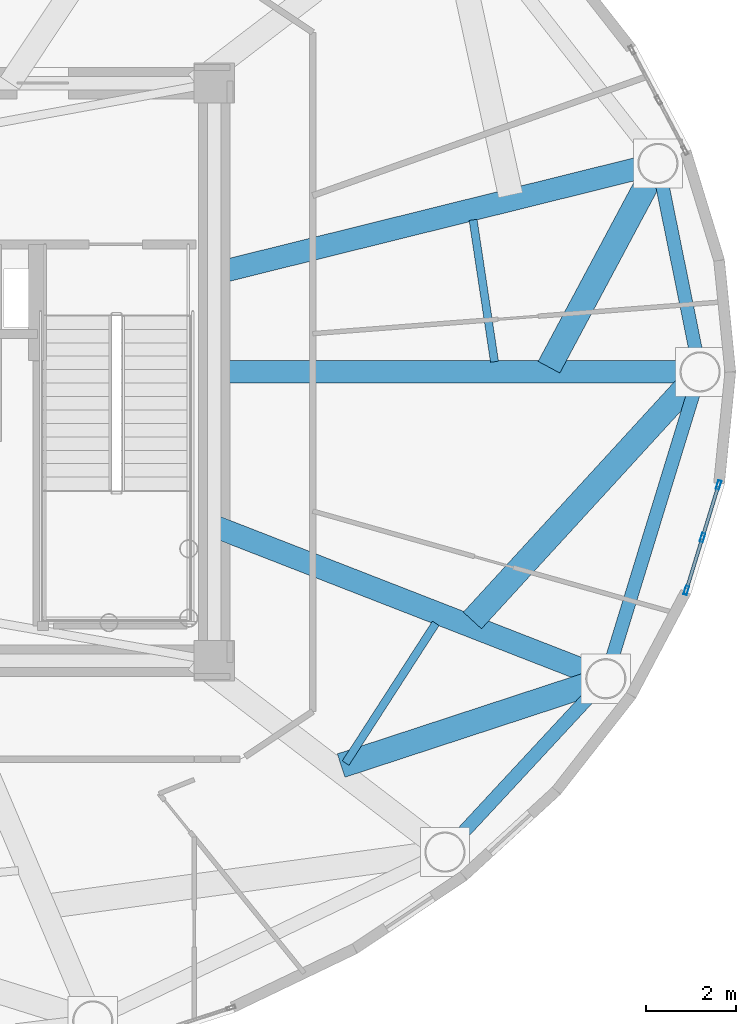
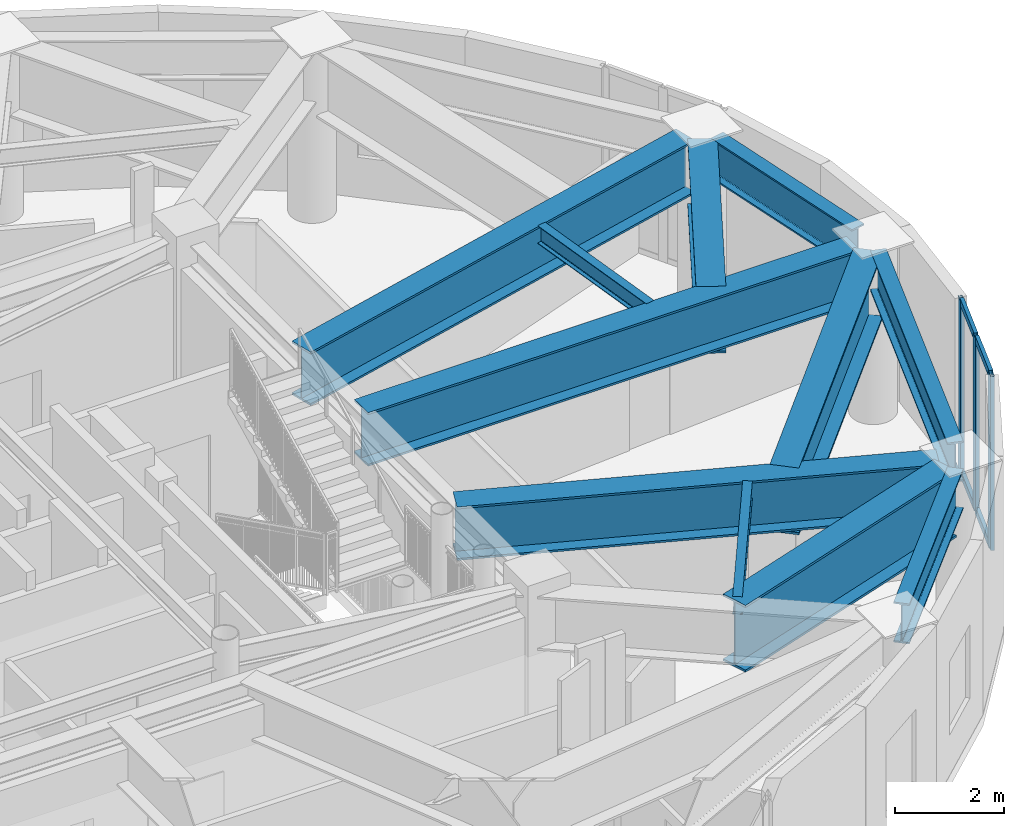
# One storey, part 11 of 23: 11 beams, 7 members, 1 element without a shape of its own.
"""IFC4 building model written with IfcOpenShell, lengths in metres."""

from ifc_helpers import new_model, si_unit, direction, frame, origin, origin_2d, place, context, subcontext, project, spatial, hollow_rectangle, i_section, extrude, source, transform, mapped, material, layer, layer_set, material_profile, profile_set, type_object, element, aggregate, save


model = new_model("IFC4")

# Units and contexts
model_context = context("Model", 3, precision=1e-05, world=origin(), true_north=direction((0.0, 1.0)))
body_context = subcontext(model_context, "Body", "Model", "MODEL_VIEW")
ifc_project = project(units=[si_unit("LENGTHUNIT", "METRE"), si_unit("AREAUNIT", "SQUARE_METRE"), si_unit("VOLUMEUNIT", "CUBIC_METRE"), si_unit("PLANEANGLEUNIT", "RADIAN"), si_unit("MASSUNIT", "GRAM", prefix="KILO")], contexts=[model_context])

# Site, building, storey
site_placement = place(None, origin())
site = spatial("IfcSite", under=ifc_project, at=site_placement, CompositionType="ELEMENT")
building_placement = place(site_placement, origin())
building = spatial("IfcBuilding", under=site, at=building_placement, Name="Linh Dai School and Residence Tower", CompositionType="ELEMENT")
storey_placement = place(building_placement, frame((0.0, 0.0, 359.39990234375)))
storey = spatial("IfcBuildingStorey", under=building, at=storey_placement, Name="L89", CompositionType="ELEMENT", Elevation=359.39990234375)

# Beams
ifc_material_1 = material(Name="Structural Steel S355JR", Category="steel")
ifc_material_profile_1 = material_profile(ifc_material_1, i_section(OverallWidth=0.300048828125, OverallDepth=0.89990234375, WebThickness=0.0185546875, FlangeThickness=0.034912109375, FilletRadius=0.030029296875, at=origin_2d()), Name="HEB 900")
ifc_profile_set_1 = profile_set([ifc_material_profile_1], Name="Structural Steel S355JR")
beam_type_1 = type_object("IfcBeamType", Name="BM-RG9", PredefinedType="BEAM", material=ifc_profile_set_1)
beam_1_placement = place(storey_placement, frame((55.61669921875, 27.41162109375, 3.4501953125), z_axis=(-0.198409502721, 0.980119211744, 0.0), x_axis=(-0.980119211744, -0.198409502721, 0.0)))
element("IfcBeam", 1, at=beam_1_placement, inside=storey, type_object=beam_type_1, Name="L89 Perimeter Elliptical Ring Beam 01", PredefinedType="BEAM", context=body_context, shape_type="SweptSolid", body=[
    extrude(i_section(OverallWidth=0.300048828125, OverallDepth=0.89990234375, WebThickness=0.0185546875, FlangeThickness=0.034912109375, FilletRadius=0.030029296875, at=origin_2d()), origin(), (0.0, 0.0, 1.0), 3.9091796875),
])
beam_2_placement = place(storey_placement, frame((50.2880859375, 16.5849609375, 3.4501953125), z_axis=(0.680339330162, 0.732897261446, 0.0), x_axis=(-0.732897261446, 0.680339330162, 0.0)))
element("IfcBeam", 2, at=beam_2_placement, inside=storey, type_object=beam_type_1, Name="L89 Perimeter Elliptical Ring Beam 15", PredefinedType="BEAM", context=body_context, shape_type="SweptSolid", body=[
    extrude(i_section(OverallWidth=0.300048828125, OverallDepth=0.89990234375, WebThickness=0.0185546875, FlangeThickness=0.034912109375, FilletRadius=0.030029296875, at=origin_2d()), origin(), (0.0, 0.0, 1.0), 4.440673828125),
])
beam_3_placement = place(storey_placement, frame((53.718505859375, 20.548828125, 3.4501953125), z_axis=(0.293606003102, 0.955926521728, 0.0), x_axis=(-0.955926521728, 0.293606003102, 0.0)))
element("IfcBeam", 3, at=beam_3_placement, inside=storey, type_object=beam_type_1, Name="L89 Perimeter Elliptical Ring Beam 16", PredefinedType="BEAM", context=body_context, shape_type="SweptSolid", body=[
    extrude(i_section(OverallWidth=0.300048828125, OverallDepth=0.89990234375, WebThickness=0.0185546875, FlangeThickness=0.034912109375, FilletRadius=0.030029296875, at=origin_2d()), origin(), (0.0, 0.0, 1.0), 6.32861328125),
])
ifc_material_profile_2 = material_profile(ifc_material_1, i_section(OverallWidth=0.179931640625, OverallDepth=0.39990234375, WebThickness=0.008544921875, FlangeThickness=0.013427734375, FilletRadius=0.02099609375, at=origin_2d()), Name="IPE 400")
ifc_profile_set_2 = profile_set([ifc_material_profile_2], Name="Structural Steel S355JR")
beam_type_2 = type_object("IfcBeamType", Name="BM-SB40", PredefinedType="BEAM", material=ifc_profile_set_2)
beam_4_placement = place(storey_placement, frame((51.108642578125, 27.2275390625, 3.7001953125), z_axis=(-0.149164107932, 0.988812453858, 0.0), x_axis=(-0.988812453858, -0.149164107932, 0.0)))
element("IfcBeam", 4, at=beam_4_placement, inside=storey, type_object=beam_type_2, Name="L89 Secondary Circumferential Floor Beam 01", PredefinedType="BEAM", context=body_context, shape_type="SweptSolid", body=[
    extrude(i_section(OverallWidth=0.179931640625, OverallDepth=0.39990234375, WebThickness=0.008544921875, FlangeThickness=0.013427734375, FilletRadius=0.02099609375, at=origin_2d()), origin(), (0.0, 0.0, 1.0), 3.203125),
])
beam_5_placement = place(storey_placement, frame((47.78369140625, 18.26513671875, 3.7001953125), z_axis=(0.542318554495, 0.840172949726, 0.0), x_axis=(-0.840172949726, 0.542318554495, 0.0)))
element("IfcBeam", 5, at=beam_5_placement, inside=storey, type_object=beam_type_2, Name="L89 Secondary Circumferential Floor Beam 08", PredefinedType="BEAM", context=body_context, shape_type="SweptSolid", body=[
    extrude(i_section(OverallWidth=0.179931640625, OverallDepth=0.39990234375, WebThickness=0.008544921875, FlangeThickness=0.013427734375, FilletRadius=0.02099609375, at=origin_2d()), origin(), (0.0, 0.0, 1.0), 3.713134765625),
])
ifc_material_profile_3 = material_profile(ifc_material_1, i_section(OverallWidth=0.5, OverallDepth=1.199951171875, WebThickness=0.02392578125, FlangeThickness=0.044921875, at=origin_2d()), Name="PG 1200x500x24x45")
ifc_profile_set_3 = profile_set([ifc_material_profile_3], Name="Structural Steel S355JR")
beam_type_3 = type_object("IfcBeamType", Name="BM-TG12", PredefinedType="BEAM", material=ifc_profile_set_3)
beam_6_placement = place(storey_placement, frame((44.85009765625, 27.0, 3.300048828125), z_axis=(1.0, 0.0, 0.0), x_axis=(0.0, 1.0, 0.0)))
element("IfcBeam", 6, at=beam_6_placement, inside=storey, type_object=beam_type_3, Name="L89 Radial Setback Transfer Girder 01", PredefinedType="BEAM", context=body_context, shape_type="SweptSolid", body=[
    extrude(i_section(OverallWidth=0.5, OverallDepth=1.199951171875, WebThickness=0.02392578125, FlangeThickness=0.044921875, at=origin_2d()), origin(), (0.0, 0.0, 1.0), 10.429931640625),
])
beam_7_placement = place(storey_placement, frame((44.85009765625, 29.196044921875, 3.300048828125), z_axis=(0.970563583495, 0.24084503398, 0.0), x_axis=(-0.24084503398, 0.970563583495, 0.0)))
element("IfcBeam", 7, at=beam_7_placement, inside=storey, type_object=beam_type_3, Name="L89 Radial Setback Transfer Girder 02", PredefinedType="BEAM", context=body_context, shape_type="SweptSolid", body=[
    extrude(i_section(OverallWidth=0.5, OverallDepth=1.199951171875, WebThickness=0.02392578125, FlangeThickness=0.044921875, at=origin_2d()), origin(), (0.0, 0.0, 1.0), 9.7880859375),
])
beam_8_placement = place(storey_placement, frame((44.85009765625, 23.55322265625, 3.300048828125), z_axis=(0.931822607816, -0.362914077384, 0.0), x_axis=(0.362914077384, 0.931822607816, 0.0)))
element("IfcBeam", 8, at=beam_8_placement, inside=storey, type_object=beam_type_3, Name="L89 Radial Setback Transfer Girder 16", PredefinedType="BEAM", context=body_context, shape_type="SweptSolid", body=[
    extrude(i_section(OverallWidth=0.5, OverallDepth=1.199951171875, WebThickness=0.02392578125, FlangeThickness=0.044921875, at=origin_2d()), origin(), (0.0, 0.0, 1.0), 8.964599609375),
])
ifc_material_profile_4 = material_profile(ifc_material_1, i_section(OverallWidth=0.550048828125, OverallDepth=1.5, WebThickness=0.028076171875, FlangeThickness=0.050048828125, at=origin_2d()), Name="PG 1500x550x28x50")
ifc_profile_set_4 = profile_set([ifc_material_profile_4], Name="Structural Steel S355JR")
beam_type_4 = type_object("IfcBeamType", Name="BM-TG15", PredefinedType="BEAM", material=ifc_profile_set_4)
beam_9_placement = place(storey_placement, frame((52.32568359375, 27.105712890625, 3.150146484375), z_axis=(0.471489200893, 0.881871835043, 0.0), x_axis=(-0.881871835043, 0.471489200893, 0.0)))
element("IfcBeam", 9, at=beam_9_placement, inside=storey, type_object=beam_type_4, Name="L89 Setback Diaphragm Transfer Girder 01", PredefinedType="BEAM", context=body_context, shape_type="SweptSolid", body=[
    extrude(i_section(OverallWidth=0.550048828125, OverallDepth=1.5, WebThickness=0.028076171875, FlangeThickness=0.050048828125, at=origin_2d()), origin(), (0.0, 0.0, 1.0), 4.738525390625),
])
beam_10_placement = place(storey_placement, frame((47.684326171875, 18.208740234375, 3.150146484375), z_axis=(0.950191745161, 0.31166592279, 0.0), x_axis=(-0.31166592279, 0.950191745161, 0.0)))
element("IfcBeam", 10, at=beam_10_placement, inside=storey, type_object=beam_type_4, Name="L89 Setback Diaphragm Transfer Girder 15", PredefinedType="BEAM", context=body_context, shape_type="SweptSolid", body=[
    extrude(i_section(OverallWidth=0.550048828125, OverallDepth=1.5, WebThickness=0.028076171875, FlangeThickness=0.050048828125, at=origin_2d()), origin(), (0.0, 0.0, 1.0), 5.800537109375),
])
beam_11_placement = place(storey_placement, frame((50.61572265625, 21.449462890625, 3.150146484375), z_axis=(0.675460140719, 0.73739650006, 0.0), x_axis=(-0.73739650006, 0.675460140719, 0.0)))
element("IfcBeam", 11, at=beam_11_placement, inside=storey, type_object=beam_type_4, Name="L89 Setback Diaphragm Transfer Girder 16", PredefinedType="BEAM", context=body_context, shape_type="SweptSolid", body=[
    extrude(i_section(OverallWidth=0.550048828125, OverallDepth=1.5, WebThickness=0.028076171875, FlangeThickness=0.050048828125, at=origin_2d()), origin(), (0.0, 0.0, 1.0), 7.107177734375),
])

# Curtain wall, members
ifc_material_2 = material(Name="Aluminium Anodised Curtain Wall", Category="aluminium")
ifc_layer = layer(ifc_material_2, 0.199951171875)
ifc_layer_set = layer_set([ifc_layer], Name="Aluminium Anodised Curtain Wall")
curtain_wall_type = type_object("IfcCurtainWallType", Name="CW-SYS-6", PredefinedType="USERDEFINED", material=ifc_layer_set)
curtain_wall_placement = place(storey_placement, origin())
curtain_wall = element("IfcCurtainWall", 12, at=curtain_wall_placement, inside=storey, type_object=curtain_wall_type, Name="L89 CW6 Curtain Wall 39", ObjectType="UNITISED CURTAIN WALL", PredefinedType="USERDEFINED")
ifc_material_3 = material(Name="Aluminium Alloy 6063-T6", Category="aluminium")
ifc_material_profile_5 = material_profile(ifc_material_3, hollow_rectangle(XDim=0.074951171875, YDim=0.159912109375, WallThickness=0.00390625, at=origin_2d()), Name="RHS 160x75x4")
ifc_profile_set_5 = profile_set([ifc_material_profile_5], Name="Aluminium Alloy 6063-T6")
member_type_1 = type_object("IfcMemberType", Name="CW-SYS-6-TRN", PredefinedType="USERDEFINED", material=ifc_profile_set_5)
shared_shape_1 = source(origin(), body_context, "Body", "SweptSolid", [
    extrude(hollow_rectangle(XDim=0.074951171875, YDim=0.159912109375, WallThickness=0.00390625, at=origin_2d()), origin(), (0.0, 0.0, 1.0), 1.156494140625),
])
member_1_placement = place(storey_placement, frame((56.10302734375, 24.44140625, 0.03759765625), z_axis=(-0.293017574042, -0.956107055357, 0.0), x_axis=(0.956107055357, -0.293017574042, 0.0)))
member_1 = element("IfcMember", 13, at=member_1_placement, type_object=member_type_1, Name="CW6 transom 1.1", ObjectType="TRANSOM", PredefinedType="USERDEFINED", context=body_context, shape_type="MappedRepresentation", body=[
    mapped(shared_shape_1, transform((0.0, 0.0, 0.0), x_axis=(1.0, 0.0, 0.0), y_axis=(0.0, 1.0, 0.0), z_axis=(0.0, 0.0, 1.0), scale=1.0)),
])
member_2_placement = place(storey_placement, frame((56.10302734375, 24.44140625, 3.862548828125), z_axis=(-0.293017574042, -0.956107055357, 0.0), x_axis=(0.956107055357, -0.293017574042, 0.0)))
member_2 = element("IfcMember", 14, at=member_2_placement, type_object=member_type_1, Name="CW6 transom 1.2", ObjectType="TRANSOM", PredefinedType="USERDEFINED", context=body_context, shape_type="MappedRepresentation", body=[
    mapped(shared_shape_1, transform((0.0, 0.0, 0.0), x_axis=(1.0, 0.0, 0.0), y_axis=(0.0, 1.0, 0.0), z_axis=(0.0, 0.0, 1.0), scale=1.0)),
])
member_3_placement = place(storey_placement, frame((55.7421875, 23.26416015625, 0.03759765625), z_axis=(-0.293210538331, -0.9560478964, 0.0), x_axis=(0.9560478964, -0.293210538331, 0.0)))
member_3 = element("IfcMember", 15, at=member_3_placement, type_object=member_type_1, Name="CW6 transom 2.1", ObjectType="TRANSOM", PredefinedType="USERDEFINED", context=body_context, shape_type="MappedRepresentation", body=[
    mapped(shared_shape_1, transform((0.0, 0.0, 0.0), x_axis=(1.0, 0.0, 0.0), y_axis=(0.0, 1.0, 0.0), z_axis=(0.0, 0.0, 1.0), scale=1.0)),
])
member_4_placement = place(storey_placement, frame((55.7421875, 23.26416015625, 3.862548828125), z_axis=(-0.293210538331, -0.9560478964, 0.0), x_axis=(0.9560478964, -0.293210538331, 0.0)))
member_4 = element("IfcMember", 16, at=member_4_placement, type_object=member_type_1, Name="CW6 transom 2.2", ObjectType="TRANSOM", PredefinedType="USERDEFINED", context=body_context, shape_type="MappedRepresentation", body=[
    mapped(shared_shape_1, transform((0.0, 0.0, 0.0), x_axis=(1.0, 0.0, 0.0), y_axis=(0.0, 1.0, 0.0), z_axis=(0.0, 0.0, 1.0), scale=1.0)),
])
ifc_material_profile_6 = material_profile(ifc_material_3, hollow_rectangle(XDim=0.074951171875, YDim=0.199951171875, WallThickness=0.00390625, at=origin_2d()), Name="RHS 200x75x4")
ifc_profile_set_6 = profile_set([ifc_material_profile_6], Name="Aluminium Alloy 6063-T6")
member_type_2 = type_object("IfcMemberType", Name="CW-SYS-6-MUL", PredefinedType="MULLION", material=ifc_profile_set_6)
shared_shape_2 = source(origin(), body_context, "Body", "SweptSolid", [
    extrude(hollow_rectangle(XDim=0.074951171875, YDim=0.199951171875, WallThickness=0.00390625, at=origin_2d()), origin(), (0.0, 0.0, 1.0), 3.900146484375),
])
member_5_placement = place(storey_placement, frame((56.114013671875, 24.477294921875, 0.0), z_axis=(0.0, 0.0, 1.0), x_axis=(0.956083389379, -0.293094784248, 0.0)))
member_5 = element("IfcMember", 17, at=member_5_placement, type_object=member_type_2, Name="CW6 mullion 1", PredefinedType="MULLION", context=body_context, shape_type="MappedRepresentation", body=[
    mapped(shared_shape_2, transform((0.0, 0.0, 0.0), x_axis=(1.0, 0.0, 0.0), y_axis=(0.0, 1.0, 0.0), z_axis=(0.0, 0.0, 1.0), scale=1.0)),
])
member_6_placement = place(storey_placement, frame((55.753173828125, 23.2998046875, 0.0), z_axis=(0.0, 0.0, 1.0), x_axis=(0.956083389379, -0.293094784248, 0.0)))
member_6 = element("IfcMember", 18, at=member_6_placement, type_object=member_type_2, Name="CW6 mullion 2", PredefinedType="MULLION", context=body_context, shape_type="MappedRepresentation", body=[
    mapped(shared_shape_2, transform((0.0, 0.0, 0.0), x_axis=(1.0, 0.0, 0.0), y_axis=(0.0, 1.0, 0.0), z_axis=(0.0, 0.0, 1.0), scale=1.0)),
])
member_7_placement = place(storey_placement, frame((55.39208984375, 22.12255859375, 0.0), z_axis=(0.0, 0.0, 1.0), x_axis=(0.956083389379, -0.293094784248, 0.0)))
member_7 = element("IfcMember", 19, at=member_7_placement, type_object=member_type_2, Name="CW6 mullion 3", PredefinedType="MULLION", context=body_context, shape_type="MappedRepresentation", body=[
    mapped(shared_shape_2, transform((0.0, 0.0, 0.0), x_axis=(1.0, 0.0, 0.0), y_axis=(0.0, 1.0, 0.0), z_axis=(0.0, 0.0, 1.0), scale=1.0)),
])
aggregate(curtain_wall, [member_5, member_6, member_7, member_1, member_2, member_3, member_4])

save(model, "model.ifc")
